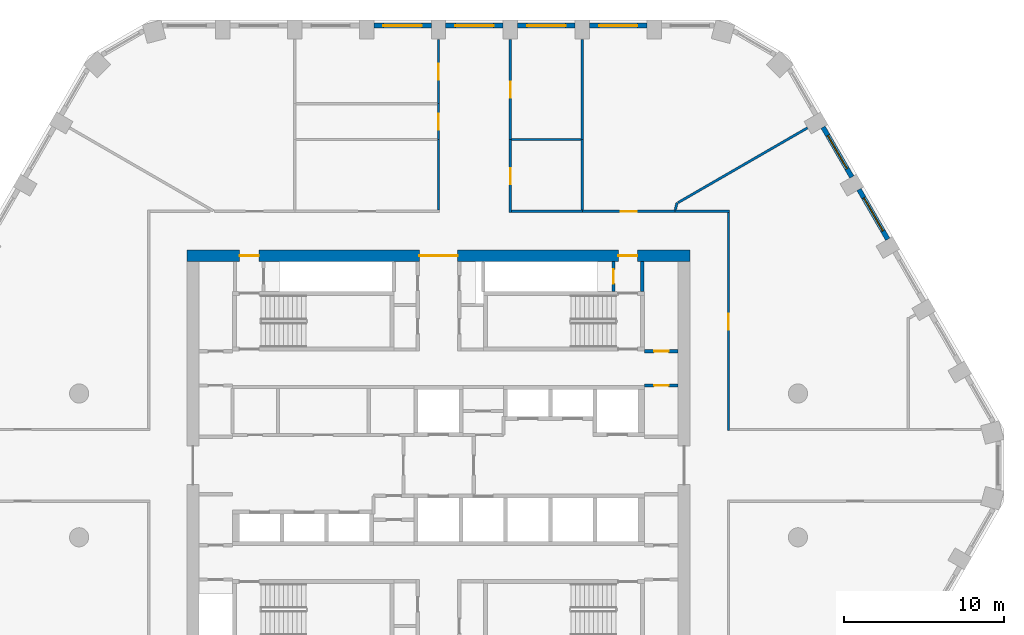
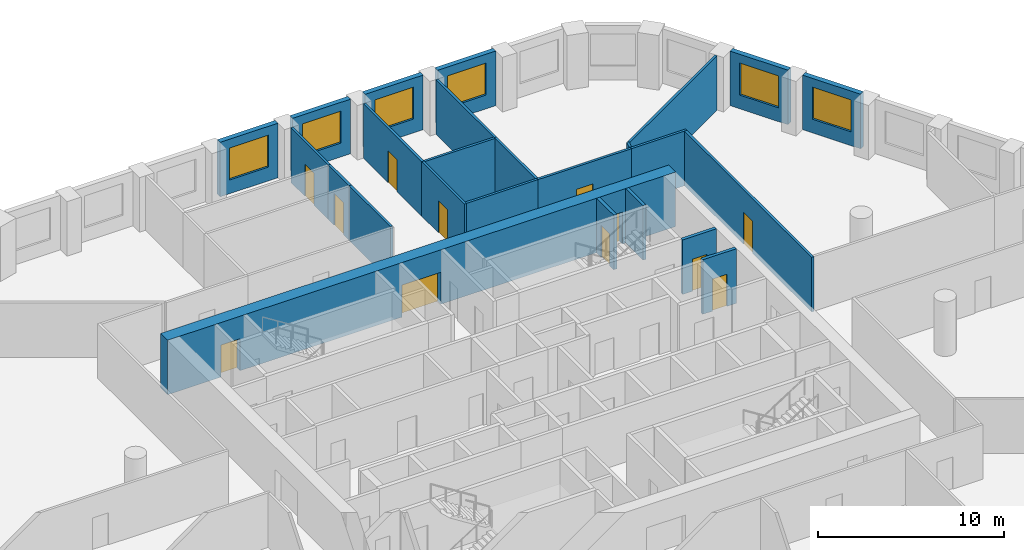
# One storey, part 7 of 9: 25 walls, 12 doors, 6 windows, 18 openings.
"""IFC4 building model written with IfcOpenShell, lengths in metres."""

import ifcopenshell
import ifcopenshell.guid

model = None  # the IFC model being written
_history = None  # IfcOwnerHistory: only IFC2X3 demands one
_inside = {}  # id of a spatial element -> (the spatial element, [elements in it])
_under = {}  # id of a project, library or spatial element -> (it, [spatial elements below it])
_declared = {}  # id of a project -> (the project, [libraries it declares])
_typed = {}  # id of a type object -> (the type object, [elements of that type])
_made_of = {}  # id of a material, layer set ... -> (it, [elements and type objects made of it])


def new_model(schema):
    """Start an empty IFC model of exactly this schema.

    Asked for "IFC4X3", IfcOpenShell would pick the latest addendum, in which some entities
    have other attributes; the version numbers below select the first issue.
    IFC2X3 requires an IfcOwnerHistory on every rooted entity: one is made here for all.
    """
    global model, _history
    if schema == "IFC4X3":
        model = ifcopenshell.file(schema_version=(4, 3, 0, 0))
    else:
        model = ifcopenshell.file(schema=schema)
    _inside.clear()
    _under.clear()
    _declared.clear()
    _typed.clear()
    _made_of.clear()
    _history = None
    if model.schema == "IFC2X3":
        org = make("IfcOrganization", Name="unknown")
        user = make(
            "IfcPersonAndOrganization",
            ThePerson=make("IfcPerson", FamilyName="unknown"),
            TheOrganization=org,
        )
        app = make(
            "IfcApplication",
            ApplicationDeveloper=org,
            Version="unknown",
            ApplicationFullName="unknown",
            ApplicationIdentifier="unknown",
        )
        _history = make(
            "IfcOwnerHistory",
            OwningUser=user,
            OwningApplication=app,
            ChangeAction="ADDED",
            CreationDate=0,
        )
    return model


def make(cls, **values):
    """One entity of the class cls with the attributes given. An attribute that is None is left unset."""
    return model.create_entity(
        cls, **{name: value for name, value in values.items() if value is not None}
    )


def rooted(cls, **values):
    """An entity with a GlobalId (a new one), such as an element, a storey or a relation."""
    return make(cls, GlobalId=ifcopenshell.guid.new(), OwnerHistory=_history, **values)


def si_unit(unit_type, name, prefix=None):
    """IfcSIUnit, for example si_unit("LENGTHUNIT", "METRE", prefix="MILLI")."""
    return make("IfcSIUnit", UnitType=unit_type, Prefix=prefix, Name=name)


def assignment(units):
    """IfcUnitAssignment: the units of a project."""
    return None if units is None else make("IfcUnitAssignment", Units=units)


def point(xyz):
    """IfcCartesianPoint."""
    return None if xyz is None else make("IfcCartesianPoint", Coordinates=xyz)


def direction(xyz):
    """IfcDirection."""
    return None if xyz is None else make("IfcDirection", DirectionRatios=xyz)


def frame(location, z_axis=None, x_axis=None):
    """IfcAxis2Placement3D, a coordinate frame: its origin and axes. An axis left out is left unset."""
    return make(
        "IfcAxis2Placement3D",
        Location=point(location),
        Axis=direction(z_axis),
        RefDirection=direction(x_axis),
    )


def frame_2d(location, x_axis=None):
    """IfcAxis2Placement2D, a coordinate frame in the plane: its origin and x axis."""
    return make(
        "IfcAxis2Placement2D", Location=point(location), RefDirection=direction(x_axis)
    )


def origin():
    """The frame at (0, 0, 0) with its axes left unset."""
    return frame((0.0, 0.0, 0.0))


def place(relative_to, where):
    """IfcLocalPlacement: puts the frame where relative to a parent placement (None: the world)."""
    return make(
        "IfcLocalPlacement", PlacementRelTo=relative_to, RelativePlacement=where
    )


def context(
    kind, dimensions, precision=None, world=None, true_north=None, identifier=None
):
    """IfcGeometricRepresentationContext, for example the 3D "Model" context."""
    return make(
        "IfcGeometricRepresentationContext",
        ContextIdentifier=identifier,
        ContextType=kind,
        CoordinateSpaceDimension=dimensions,
        Precision=precision,
        WorldCoordinateSystem=world,
        TrueNorth=true_north,
    )


def subcontext(parent, identifier, kind, view, scale=None):
    """IfcGeometricRepresentationSubContext, for example "Body" below "Model"."""
    return make(
        "IfcGeometricRepresentationSubContext",
        ContextIdentifier=identifier,
        ContextType=kind,
        ParentContext=parent,
        TargetScale=scale,
        TargetView=view,
    )


def project(units=None, contexts=None):
    """IfcProject with its units and contexts."""
    return rooted(
        "IfcProject",
        Name="project",
        RepresentationContexts=contexts,
        UnitsInContext=assignment(units),
    )


def spatial(cls, under=None, at=None, **own):
    """A site, building, storey or space (cls), placed at a placement, below another one or the project."""
    s = rooted(cls, ObjectPlacement=at, **own)
    if under is not None:
        _under.setdefault(under.id(), (under, []))[1].append(s)
    return s


def profile(cls, at=None, kind="AREA", **sizes):
    """A parametric profile (cls). Its sizes go by their IFC names, for example OverallWidth=200.0."""
    return make(cls, ProfileType=kind, Position=at, **sizes)


def rectangle(**sizes):
    """IfcRectangleProfileDef."""
    return profile("IfcRectangleProfileDef", **sizes)


def extrude(swept, where, along, depth):
    """IfcExtrudedAreaSolid: the profile swept, set in the frame where, extruded along a direction by depth."""
    return make(
        "IfcExtrudedAreaSolid",
        SweptArea=swept,
        Position=where,
        ExtrudedDirection=direction(along),
        Depth=depth,
    )


def shape(context_of_items, identifier, shape_type, items):
    """IfcShapeRepresentation: the items that make up one representation, for example the "Body"."""
    return make(
        "IfcShapeRepresentation",
        ContextOfItems=context_of_items,
        RepresentationIdentifier=identifier,
        RepresentationType=shape_type,
        Items=items,
    )


def material(Name=None, Category=None):
    """IfcMaterial."""
    return make("IfcMaterial", Name=Name, Category=Category)


def layer(
    of_material, thickness, ventilated=None, Name=None, Category=None, Priority=None
):
    """IfcMaterialLayer: one layer of a wall or slab, of a material (None: an air gap)."""
    return make(
        "IfcMaterialLayer",
        Material=of_material,
        LayerThickness=thickness,
        IsVentilated=ventilated,
        Name=Name,
        Category=Category,
        Priority=Priority,
    )


def layer_set(layers, Name=None):
    """IfcMaterialLayerSet."""
    return make("IfcMaterialLayerSet", MaterialLayers=layers, LayerSetName=Name)


def made_of(thing, what):
    """Note that an element or type object is made of a material, layer set ...; save() writes the relation."""
    if what is not None:
        _made_of.setdefault(what.id(), (what, []))[1].append(thing)
    return thing


def type_object(cls, material=None, **own):
    """A type object (cls), such as IfcWallType, which elements share."""
    return made_of(rooted(cls, **own), material)


def element(
    cls,
    number,
    at=None,
    inside=None,
    cuts=None,
    type_object=None,
    material=None,
    context=None,
    identifier="Body",
    shape_type=None,
    held_by="IfcProductDefinitionShape",
    body=None,
    shapes=None,
    **own,
):
    """One element of the class cls, such as IfcWall. Its Tag is "e" and its number.

    at: its placement. inside: the storey or other place that contains it. cuts: it is an
    opening in that element (IfcRelVoidsElement). A single representation is given by context,
    identifier, shape_type and body (its items); several are given by shapes. held_by: the class
    of the entity that holds the representations. save() writes the other relations.
    """
    e = rooted(cls, Tag="e%d" % number, ObjectPlacement=at, **own)
    if body is not None:
        shapes = [shape(context, identifier, shape_type, body)]
    if shapes is not None:
        e.Representation = make(held_by, Representations=shapes)
    if inside is not None:
        _inside.setdefault(inside.id(), (inside, []))[1].append(e)
    if cuts is not None:
        rooted(
            "IfcRelVoidsElement", RelatingBuildingElement=cuts, RelatedOpeningElement=e
        )
    if type_object is not None:
        _typed.setdefault(type_object.id(), (type_object, []))[1].append(e)
    return made_of(e, material)


def fill(opening, filler):
    """IfcRelFillsElement: the door or window that sits in an opening."""
    return rooted(
        "IfcRelFillsElement",
        RelatingOpeningElement=opening,
        RelatedBuildingElement=filler,
    )


def aggregate(whole, parts):
    """IfcRelAggregates: a whole, such as a stair, and the parts it consists of."""
    return rooted("IfcRelAggregates", RelatingObject=whole, RelatedObjects=parts)


def save(model, path):
    """Write the relations noted so far, then the file.

    IfcRelAggregates (storeys below a building ...), IfcRelContainedInSpatialStructure (elements
    in a storey), IfcRelDefinesByType, IfcRelAssociatesMaterial and IfcRelDeclares: one each for
    every whole, place, type object, material and project.
    """
    for whole, parts in _under.values():
        aggregate(whole, parts)
    for where, things in _inside.values():
        rooted(
            "IfcRelContainedInSpatialStructure",
            RelatedElements=things,
            RelatingStructure=where,
        )
    for kind, things in _typed.values():
        rooted("IfcRelDefinesByType", RelatedObjects=things, RelatingType=kind)
    for what, things in _made_of.values():
        rooted("IfcRelAssociatesMaterial", RelatedObjects=things, RelatingMaterial=what)
    for by, libraries in _declared.values():
        rooted("IfcRelDeclares", RelatingContext=by, RelatedDefinitions=libraries)
    model.write(path)


model = new_model("IFC4")

# Units and contexts
model_context = context("Model", 3, precision=1e-05, world=origin(), true_north=direction((0.0, 1.0)))
body_context = subcontext(model_context, "Body", "Model", "MODEL_VIEW")
ifc_project = project(units=[si_unit("LENGTHUNIT", "METRE"), si_unit("AREAUNIT", "SQUARE_METRE"), si_unit("VOLUMEUNIT", "CUBIC_METRE"), si_unit("PLANEANGLEUNIT", "RADIAN"), si_unit("MASSUNIT", "GRAM", prefix="KILO")], contexts=[model_context])

# Site, building, storey
site_placement = place(None, origin())
site = spatial("IfcSite", under=ifc_project, at=site_placement, CompositionType="ELEMENT")
building_placement = place(site_placement, origin())
building = spatial("IfcBuilding", under=site, at=building_placement, Name="Dhurran Vertical Campus", CompositionType="ELEMENT")
storey_placement = place(building_placement, frame((0.0, 0.0, 163.800048828125)))
storey = spatial("IfcBuildingStorey", under=building, at=storey_placement, Name="L40", CompositionType="ELEMENT", Elevation=163.800048828125)

# Wall, opening, window
ifc_material_1 = material(Name="Precast concrete C50/60", Category="concrete")
ifc_layer_1 = layer(ifc_material_1, 0.300048828125)
ifc_layer_set_1 = layer_set([ifc_layer_1], Name="Precast concrete C50/60")
wall_type_1 = type_object("IfcWallType", Name="Precast spandrel wall 300", PredefinedType="SOLIDWALL", material=ifc_layer_set_1)
wall_1_placement = place(storey_placement, frame((28.118896484375, 14.156494140625, 0.0), z_axis=(0.0, 0.0, 1.0), x_axis=(-0.500027802648, 0.866009351323, 0.0)))
wall_1 = element("IfcWall", 1, at=wall_1_placement, inside=storey, type_object=wall_type_1, Name="EW1 L40.19", PredefinedType="SOLIDWALL", context=body_context, shape_type="SweptSolid", body=[
    extrude(rectangle(XDim=3.598876953125, YDim=0.300048828125, at=frame_2d((1.79931640625, 0.0))), origin(), (0.0, 0.0, 1.0), 3.574951171875),
])
opening_1_placement = place(wall_1_placement, frame((0.599609375, 0.0, 0.89990234375)))
opening_1 = element("IfcOpeningElement", 2, at=opening_1_placement, cuts=wall_1, Name="Opening WT1", PredefinedType="OPENING", context=body_context, shape_type="SweptSolid", body=[
    extrude(rectangle(XDim=2.39990234375, YDim=2.10009765625, at=frame_2d((1.199951171875, 1.050048828125))), frame((0.0, 0.159912109375, 0.0), z_axis=(0.0, -1.0, 0.0), x_axis=(1.0, 0.0, 0.0)), (0.0, 0.0, 1.0), 0.320068359375),
])
ifc_material_2 = material(Name="Aluminium frame with solar-control glass", Category="aluminium")
window_type = type_object("IfcWindowType", Name="Punched window 2400 x 2100", PartitioningType="SINGLE_PANEL", PredefinedType="WINDOW", material=ifc_material_2)
window_1_placement = place(opening_1_placement, origin())
window_1 = element("IfcWindow", 3, at=window_1_placement, inside=storey, type_object=window_type, Name="WT1 L40.19", OverallHeight=2.10009765625, OverallWidth=2.39990234375, PartitioningType="SINGLE_PANEL", PredefinedType="WINDOW", context=body_context, shape_type="SweptSolid", body=[
    extrude(rectangle(XDim=2.39990234375, YDim=2.10009765625, at=frame_2d((1.199951171875, 1.050048828125))), frame((0.0, 0.030029296875, 0.0), z_axis=(0.0, -1.0, 0.0), x_axis=(1.0, 0.0, 0.0)), (0.0, 0.0, 1.0), 0.06005859375),
])
fill(opening_1, window_1)

wall_2_placement = place(storey_placement, frame((25.868896484375, 18.0537109375, 0.0), z_axis=(0.0, 0.0, 1.0), x_axis=(-0.500027802648, 0.866009351323, 0.0)))
wall_2 = element("IfcWall", 4, at=wall_2_placement, inside=storey, type_object=wall_type_1, Name="EW1 L40.20", PredefinedType="SOLIDWALL", context=body_context, shape_type="SweptSolid", body=[
    extrude(rectangle(XDim=3.598876953125, YDim=0.300048828125, at=frame_2d((1.79931640625, 0.0))), origin(), (0.0, 0.0, 1.0), 3.574951171875),
])
opening_2_placement = place(wall_2_placement, frame((0.599609375, 0.0, 0.89990234375)))
opening_2 = element("IfcOpeningElement", 5, at=opening_2_placement, cuts=wall_2, Name="Opening WT1", PredefinedType="OPENING", context=body_context, shape_type="SweptSolid", body=[
    extrude(rectangle(XDim=2.39990234375, YDim=2.10009765625, at=frame_2d((1.199951171875, 1.050048828125))), frame((0.0, 0.159912109375, 0.0), z_axis=(0.0, -1.0, 0.0), x_axis=(1.0, 0.0, 0.0)), (0.0, 0.0, 1.0), 0.320068359375),
])
window_2_placement = place(opening_2_placement, origin())
window_2 = element("IfcWindow", 6, at=window_2_placement, inside=storey, type_object=window_type, Name="WT1 L40.20", OverallHeight=2.10009765625, OverallWidth=2.39990234375, PartitioningType="SINGLE_PANEL", PredefinedType="WINDOW", context=body_context, shape_type="SweptSolid", body=[
    extrude(rectangle(XDim=2.39990234375, YDim=2.10009765625, at=frame_2d((1.199951171875, 1.050048828125))), frame((0.0, 0.030029296875, 0.0), z_axis=(0.0, -1.0, 0.0), x_axis=(1.0, 0.0, 0.0)), (0.0, 0.0, 1.0), 0.06005859375),
])
fill(opening_2, window_2)

wall_3_placement = place(storey_placement, frame((13.049560546875, 27.53271484375, 0.0), z_axis=(0.0, 0.0, 1.0), x_axis=(-1.0, 0.0, 0.0)))
wall_3 = element("IfcWall", 7, at=wall_3_placement, inside=storey, type_object=wall_type_1, Name="EW1 L40.24", PredefinedType="SOLIDWALL", context=body_context, shape_type="SweptSolid", body=[
    extrude(rectangle(XDim=3.59912109375, YDim=0.300048828125, at=frame_2d((1.799560546875, 0.0))), origin(), (0.0, 0.0, 1.0), 3.574951171875),
])
opening_3_placement = place(wall_3_placement, frame((0.599609375, 0.0, 0.89990234375)))
opening_3 = element("IfcOpeningElement", 8, at=opening_3_placement, cuts=wall_3, Name="Opening WT1", PredefinedType="OPENING", context=body_context, shape_type="SweptSolid", body=[
    extrude(rectangle(XDim=2.39990234375, YDim=2.10009765625, at=frame_2d((1.199951171875, 1.050048828125))), frame((0.0, 0.159912109375, 0.0), z_axis=(0.0, -1.0, 0.0), x_axis=(1.0, 0.0, 0.0)), (0.0, 0.0, 1.0), 0.320068359375),
])
window_3_placement = place(opening_3_placement, origin())
window_3 = element("IfcWindow", 9, at=window_3_placement, inside=storey, type_object=window_type, Name="WT1 L40.24", OverallHeight=2.10009765625, OverallWidth=2.39990234375, PartitioningType="SINGLE_PANEL", PredefinedType="WINDOW", context=body_context, shape_type="SweptSolid", body=[
    extrude(rectangle(XDim=2.39990234375, YDim=2.10009765625, at=frame_2d((1.199951171875, 1.050048828125))), frame((0.0, 0.030029296875, 0.0), z_axis=(0.0, -1.0, 0.0), x_axis=(1.0, 0.0, 0.0)), (0.0, 0.0, 1.0), 0.06005859375),
])
fill(opening_3, window_3)

wall_4_placement = place(storey_placement, frame((8.549560546875, 27.53271484375, 0.0), z_axis=(0.0, 0.0, 1.0), x_axis=(-1.0, 0.0, 0.0)))
wall_4 = element("IfcWall", 10, at=wall_4_placement, inside=storey, type_object=wall_type_1, Name="EW1 L40.25", PredefinedType="SOLIDWALL", context=body_context, shape_type="SweptSolid", body=[
    extrude(rectangle(XDim=3.59912109375, YDim=0.300048828125, at=frame_2d((1.799560546875, 0.0))), origin(), (0.0, 0.0, 1.0), 3.574951171875),
])
opening_4_placement = place(wall_4_placement, frame((0.599609375, 0.0, 0.89990234375)))
opening_4 = element("IfcOpeningElement", 11, at=opening_4_placement, cuts=wall_4, Name="Opening WT1", PredefinedType="OPENING", context=body_context, shape_type="SweptSolid", body=[
    extrude(rectangle(XDim=2.39990234375, YDim=2.10009765625, at=frame_2d((1.199951171875, 1.050048828125))), frame((0.0, 0.159912109375, 0.0), z_axis=(0.0, -1.0, 0.0), x_axis=(1.0, 0.0, 0.0)), (0.0, 0.0, 1.0), 0.320068359375),
])
window_4_placement = place(opening_4_placement, origin())
window_4 = element("IfcWindow", 12, at=window_4_placement, inside=storey, type_object=window_type, Name="WT1 L40.25", OverallHeight=2.10009765625, OverallWidth=2.39990234375, PartitioningType="SINGLE_PANEL", PredefinedType="WINDOW", context=body_context, shape_type="SweptSolid", body=[
    extrude(rectangle(XDim=2.39990234375, YDim=2.10009765625, at=frame_2d((1.199951171875, 1.050048828125))), frame((0.0, 0.030029296875, 0.0), z_axis=(0.0, -1.0, 0.0), x_axis=(1.0, 0.0, 0.0)), (0.0, 0.0, 1.0), 0.06005859375),
])
fill(opening_4, window_4)

wall_5_placement = place(storey_placement, frame((4.049560546875, 27.53271484375, 0.0), z_axis=(0.0, 0.0, 1.0), x_axis=(-1.0, 0.0, 0.0)))
wall_5 = element("IfcWall", 13, at=wall_5_placement, inside=storey, type_object=wall_type_1, Name="EW1 L40.26", PredefinedType="SOLIDWALL", context=body_context, shape_type="SweptSolid", body=[
    extrude(rectangle(XDim=3.59912109375, YDim=0.300048828125, at=frame_2d((1.799560546875, 0.0))), origin(), (0.0, 0.0, 1.0), 3.574951171875),
])
opening_5_placement = place(wall_5_placement, frame((0.599609375, 0.0, 0.89990234375)))
opening_5 = element("IfcOpeningElement", 14, at=opening_5_placement, cuts=wall_5, Name="Opening WT1", PredefinedType="OPENING", context=body_context, shape_type="SweptSolid", body=[
    extrude(rectangle(XDim=2.39990234375, YDim=2.10009765625, at=frame_2d((1.199951171875, 1.050048828125))), frame((0.0, 0.159912109375, 0.0), z_axis=(0.0, -1.0, 0.0), x_axis=(1.0, 0.0, 0.0)), (0.0, 0.0, 1.0), 0.320068359375),
])
window_5_placement = place(opening_5_placement, origin())
window_5 = element("IfcWindow", 15, at=window_5_placement, inside=storey, type_object=window_type, Name="WT1 L40.26", OverallHeight=2.10009765625, OverallWidth=2.39990234375, PartitioningType="SINGLE_PANEL", PredefinedType="WINDOW", context=body_context, shape_type="SweptSolid", body=[
    extrude(rectangle(XDim=2.39990234375, YDim=2.10009765625, at=frame_2d((1.199951171875, 1.050048828125))), frame((0.0, 0.030029296875, 0.0), z_axis=(0.0, -1.0, 0.0), x_axis=(1.0, 0.0, 0.0)), (0.0, 0.0, 1.0), 0.06005859375),
])
fill(opening_5, window_5)

wall_6_placement = place(storey_placement, frame((-0.450439453125, 27.53271484375, 0.0), z_axis=(0.0, 0.0, 1.0), x_axis=(-1.0, 0.0, 0.0)))
wall_6 = element("IfcWall", 16, at=wall_6_placement, inside=storey, type_object=wall_type_1, Name="EW1 L40.27", PredefinedType="SOLIDWALL", context=body_context, shape_type="SweptSolid", body=[
    extrude(rectangle(XDim=3.59912109375, YDim=0.300048828125, at=frame_2d((1.799560546875, 0.0))), origin(), (0.0, 0.0, 1.0), 3.574951171875),
])
opening_6_placement = place(wall_6_placement, frame((0.599609375, 0.0, 0.89990234375)))
opening_6 = element("IfcOpeningElement", 17, at=opening_6_placement, cuts=wall_6, Name="Opening WT1", PredefinedType="OPENING", context=body_context, shape_type="SweptSolid", body=[
    extrude(rectangle(XDim=2.39990234375, YDim=2.10009765625, at=frame_2d((1.199951171875, 1.050048828125))), frame((0.0, 0.159912109375, 0.0), z_axis=(0.0, -1.0, 0.0), x_axis=(1.0, 0.0, 0.0)), (0.0, 0.0, 1.0), 0.320068359375),
])
window_6_placement = place(opening_6_placement, origin())
window_6 = element("IfcWindow", 18, at=window_6_placement, inside=storey, type_object=window_type, Name="WT1 L40.27", OverallHeight=2.10009765625, OverallWidth=2.39990234375, PartitioningType="SINGLE_PANEL", PredefinedType="WINDOW", context=body_context, shape_type="SweptSolid", body=[
    extrude(rectangle(XDim=2.39990234375, YDim=2.10009765625, at=frame_2d((1.199951171875, 1.050048828125))), frame((0.0, 0.030029296875, 0.0), z_axis=(0.0, -1.0, 0.0), x_axis=(1.0, 0.0, 0.0)), (0.0, 0.0, 1.0), 0.06005859375),
])
fill(opening_6, window_6)

# Wall, openings, doors
ifc_material_3 = material(Name="Concrete C60/75", Category="concrete")
ifc_layer_2 = layer(ifc_material_3, 0.75)
ifc_layer_set_2 = layer_set([ifc_layer_2], Name="Concrete C60/75")
wall_type_2 = type_object("IfcWallType", Name="co-CORE-WALL-C1-750", PredefinedType="SHEAR", material=ifc_layer_set_2)
wall_7_placement = place(storey_placement, frame((-15.75, 13.125, 0.0), z_axis=(0.0, 0.0, 1.0), x_axis=(1.0, 0.0, 0.0)))
wall_7 = element("IfcWall", 19, at=wall_7_placement, inside=storey, type_object=wall_type_2, Name="Core wall N L40", PredefinedType="SHEAR", context=body_context, shape_type="SweptSolid", body=[
    extrude(rectangle(XDim=31.5, YDim=0.75, at=frame_2d((15.75, 0.0))), origin(), (0.0, 0.0, 1.0), 3.574951171875),
])
opening_7_placement = place(wall_7_placement, frame((14.550048828125, 0.0, 0.0)))
opening_7 = element("IfcOpeningElement", 20, at=opening_7_placement, cuts=wall_7, Name="Opening CV1", PredefinedType="OPENING", context=body_context, shape_type="SweptSolid", body=[
    extrude(rectangle(XDim=2.39990234375, YDim=2.10009765625, at=frame_2d((1.199951171875, 1.050048828125))), frame((0.0, 0.385009765625, 0.0), z_axis=(0.0, -1.0, 0.0), x_axis=(1.0, 0.0, 0.0)), (0.0, 0.0, 1.0), 0.77001953125),
])
opening_8_placement = place(wall_7_placement, frame((3.300048828125, 0.0, 0.0)))
opening_8 = element("IfcOpeningElement", 21, at=opening_8_placement, cuts=wall_7, Name="Opening XD1", PredefinedType="OPENING", context=body_context, shape_type="SweptSolid", body=[
    extrude(rectangle(XDim=1.199951171875, YDim=2.10009765625, at=frame_2d((0.60009765625, 1.050048828125))), frame((0.0, 0.385009765625, 0.0), z_axis=(0.0, -1.0, 0.0), x_axis=(1.0, 0.0, 0.0)), (0.0, 0.0, 1.0), 0.77001953125),
])
opening_9_placement = place(wall_7_placement, frame((27.0, 0.0, 0.0)))
opening_9 = element("IfcOpeningElement", 22, at=opening_9_placement, cuts=wall_7, Name="Opening XD2", PredefinedType="OPENING", context=body_context, shape_type="SweptSolid", body=[
    extrude(rectangle(XDim=1.199951171875, YDim=2.10009765625, at=frame_2d((0.60009765625, 1.050048828125))), frame((0.0, 0.385009765625, 0.0), z_axis=(0.0, -1.0, 0.0), x_axis=(1.0, 0.0, 0.0)), (0.0, 0.0, 1.0), 0.77001953125),
])
ifc_material_4 = material(Name="Fire-rated glazed door set")
door_type_1 = type_object("IfcDoorType", Name="co-D-LOBBY 2400x2100", OperationType="DOUBLE_DOOR_DOUBLE_SWING", PredefinedType="DOOR", material=ifc_material_4)
door_1_placement = place(opening_7_placement, origin())
door_1 = element("IfcDoor", 23, at=door_1_placement, inside=storey, type_object=door_type_1, Name="Core vestibule door N L40", OperationType="DOUBLE_DOOR_DOUBLE_SWING", OverallHeight=2.10009765625, OverallWidth=2.39990234375, PredefinedType="DOOR", context=body_context, shape_type="SweptSolid", body=[
    extrude(rectangle(XDim=2.39990234375, YDim=2.10009765625, at=frame_2d((1.199951171875, 1.050048828125))), frame((0.0, 0.02490234375, 0.0), z_axis=(0.0, -1.0, 0.0), x_axis=(1.0, 0.0, 0.0)), (0.0, 0.0, 1.0), 0.050048828125),
])
fill(opening_7, door_1)
ifc_material_5 = material(Name="Fire-rated steel door set", Category="steel")
door_type_2 = type_object("IfcDoorType", Name="co-D-STAIR-EXIT 1200x2100", OperationType="SINGLE_SWING_RIGHT", PredefinedType="DOOR", material=ifc_material_5)
door_2_placement = place(opening_8_placement, origin())
door_2 = element("IfcDoor", 24, at=door_2_placement, inside=storey, type_object=door_type_2, Name="Stair ST1 exit door L40", OperationType="SINGLE_SWING_RIGHT", OverallHeight=2.10009765625, OverallWidth=1.199951171875, PredefinedType="DOOR", context=body_context, shape_type="SweptSolid", body=[
    extrude(rectangle(XDim=1.199951171875, YDim=2.10009765625, at=frame_2d((0.60009765625, 1.050048828125))), frame((0.0, 0.02490234375, 0.0), z_axis=(0.0, -1.0, 0.0), x_axis=(1.0, 0.0, 0.0)), (0.0, 0.0, 1.0), 0.050048828125),
])
fill(opening_8, door_2)
door_3_placement = place(opening_9_placement, origin())
door_3 = element("IfcDoor", 25, at=door_3_placement, inside=storey, type_object=door_type_2, Name="Stair ST2 exit door L40", OperationType="SINGLE_SWING_RIGHT", OverallHeight=2.10009765625, OverallWidth=1.199951171875, PredefinedType="DOOR", context=body_context, shape_type="SweptSolid", body=[
    extrude(rectangle(XDim=1.199951171875, YDim=2.10009765625, at=frame_2d((0.60009765625, 1.050048828125))), frame((0.0, 0.02490234375, 0.0), z_axis=(0.0, -1.0, 0.0), x_axis=(1.0, 0.0, 0.0)), (0.0, 0.0, 1.0), 0.050048828125),
])
fill(opening_9, door_3)

# Wall
ifc_material_6 = material(Name="Fire-rated masonry blockwork", Category="masonry")
ifc_layer_3 = layer(ifc_material_6, 0.199951171875)
ifc_layer_set_3 = layer_set([ifc_layer_3], Name="Fire-rated masonry blockwork")
wall_type_3 = type_object("IfcWallType", Name="co-FIRE-PARTITION-200", PredefinedType="PARTITIONING", material=ifc_layer_set_3)
wall_8_placement = place(storey_placement, frame((12.75, 10.89990234375, 0.0), z_axis=(0.0, 0.0, 1.0), x_axis=(0.0, 1.0, 0.0)))
element("IfcWall", 26, at=wall_8_placement, inside=storey, type_object=wall_type_3, Name="Core partition pass-ST2-o L40", PredefinedType="PARTITIONING", context=body_context, shape_type="SweptSolid", body=[
    extrude(rectangle(XDim=1.85009765625, YDim=0.199951171875, at=frame_2d((0.925048828125, 0.0))), origin(), (0.0, 0.0, 1.0), 3.574951171875),
])

# Wall, opening, door
wall_9_placement = place(storey_placement, frame((10.949951171875, 10.89990234375, 0.0), z_axis=(0.0, 0.0, 1.0), x_axis=(0.0, 1.0, 0.0)))
wall_9 = element("IfcWall", 27, at=wall_9_placement, inside=storey, type_object=wall_type_3, Name="Core partition pass-ST2-i L40", PredefinedType="PARTITIONING", context=body_context, shape_type="SweptSolid", body=[
    extrude(rectangle(XDim=1.85009765625, YDim=0.199951171875, at=frame_2d((0.925048828125, 0.0))), origin(), (0.0, 0.0, 1.0), 3.574951171875),
])
opening_10_placement = place(wall_9_placement, frame((0.47509765625, 0.0, 0.0)))
opening_10 = element("IfcOpeningElement", 28, at=opening_10_placement, cuts=wall_9, Name="Opening T11-C9", PredefinedType="OPENING", context=body_context, shape_type="SweptSolid", body=[
    extrude(rectangle(XDim=0.89990234375, YDim=2.10009765625, at=frame_2d((0.449951171875, 1.050048828125))), frame((0.0, 0.10986328125, 0.0), z_axis=(0.0, -1.0, 0.0), x_axis=(1.0, 0.0, 0.0)), (0.0, 0.0, 1.0), 0.219970703125),
])
ifc_material_7 = material(Name="Fire-rated timber door set", Category="wood")
door_type_3 = type_object("IfcDoorType", Name="co-D-ROOM 900x2100", OperationType="SINGLE_SWING_LEFT", PredefinedType="DOOR", material=ifc_material_7)
door_4_placement = place(opening_10_placement, origin())
door_4 = element("IfcDoor", 29, at=door_4_placement, inside=storey, type_object=door_type_3, Name="Riser room door L40", OperationType="SINGLE_SWING_LEFT", OverallHeight=2.10009765625, OverallWidth=0.89990234375, PredefinedType="DOOR", context=body_context, shape_type="SweptSolid", body=[
    extrude(rectangle(XDim=0.89990234375, YDim=2.10009765625, at=frame_2d((0.449951171875, 1.050048828125))), frame((0.0, 0.02490234375, 0.0), z_axis=(0.0, -1.0, 0.0), x_axis=(1.0, 0.0, 0.0)), (0.0, 0.0, 1.0), 0.050048828125),
])
fill(opening_10, door_4)

wall_10_placement = place(storey_placement, frame((12.89990234375, 7.14990234375, 0.0), z_axis=(0.0, 0.0, 1.0), x_axis=(1.0, 0.0, 0.0)))
wall_10 = element("IfcWall", 30, at=wall_10_placement, inside=storey, type_object=wall_type_3, Name="Core partition en-NE-w L40", PredefinedType="PARTITIONING", context=body_context, shape_type="SweptSolid", body=[
    extrude(rectangle(XDim=2.10009765625, YDim=0.199951171875, at=frame_2d((1.050048828125, 0.0))), origin(), (0.0, 0.0, 1.0), 3.574951171875),
])
opening_11_placement = place(wall_10_placement, frame((0.60009765625, 0.0, 0.0)))
opening_11 = element("IfcOpeningElement", 31, at=opening_11_placement, cuts=wall_10, Name="Opening T11-C14", PredefinedType="OPENING", context=body_context, shape_type="SweptSolid", body=[
    extrude(rectangle(XDim=0.89990234375, YDim=2.10009765625, at=frame_2d((0.449951171875, 1.050048828125))), frame((0.0, 0.10986328125, 0.0), z_axis=(0.0, -1.0, 0.0), x_axis=(1.0, 0.0, 0.0)), (0.0, 0.0, 1.0), 0.219970703125),
])
door_5_placement = place(opening_11_placement, origin())
door_5 = element("IfcDoor", 32, at=door_5_placement, inside=storey, type_object=door_type_3, Name="Waste room door L40", OperationType="SINGLE_SWING_LEFT", OverallHeight=2.10009765625, OverallWidth=0.89990234375, PredefinedType="DOOR", context=body_context, shape_type="SweptSolid", body=[
    extrude(rectangle(XDim=0.89990234375, YDim=2.10009765625, at=frame_2d((0.449951171875, 1.050048828125))), frame((0.0, 0.02490234375, 0.0), z_axis=(0.0, -1.0, 0.0), x_axis=(1.0, 0.0, 0.0)), (0.0, 0.0, 1.0), 0.050048828125),
])
fill(opening_11, door_5)

wall_11_placement = place(storey_placement, frame((12.89990234375, 5.0, 0.0), z_axis=(0.0, 0.0, 1.0), x_axis=(1.0, 0.0, 0.0)))
wall_11 = element("IfcWall", 33, at=wall_11_placement, inside=storey, type_object=wall_type_3, Name="Core partition es-NE-w L40", PredefinedType="PARTITIONING", context=body_context, shape_type="SweptSolid", body=[
    extrude(rectangle(XDim=2.10009765625, YDim=0.199951171875, at=frame_2d((1.050048828125, 0.0))), origin(), (0.0, 0.0, 1.0), 3.574951171875),
])
opening_12_placement = place(wall_11_placement, frame((0.60009765625, 0.0, 0.0)))
opening_12 = element("IfcOpeningElement", 34, at=opening_12_placement, cuts=wall_11, Name="Opening T11-C15", PredefinedType="OPENING", context=body_context, shape_type="SweptSolid", body=[
    extrude(rectangle(XDim=0.89990234375, YDim=2.10009765625, at=frame_2d((0.449951171875, 1.050048828125))), frame((0.0, 0.10986328125, 0.0), z_axis=(0.0, -1.0, 0.0), x_axis=(1.0, 0.0, 0.0)), (0.0, 0.0, 1.0), 0.219970703125),
])
door_6_placement = place(opening_12_placement, origin())
door_6 = element("IfcDoor", 35, at=door_6_placement, inside=storey, type_object=door_type_3, Name="Plant room door L40", OperationType="SINGLE_SWING_LEFT", OverallHeight=2.10009765625, OverallWidth=0.89990234375, PredefinedType="DOOR", context=body_context, shape_type="SweptSolid", body=[
    extrude(rectangle(XDim=0.89990234375, YDim=2.10009765625, at=frame_2d((0.449951171875, 1.050048828125))), frame((0.0, 0.02490234375, 0.0), z_axis=(0.0, -1.0, 0.0), x_axis=(1.0, 0.0, 0.0)), (0.0, 0.0, 1.0), 0.050048828125),
])
fill(opening_12, door_6)

# Wall
ifc_material_8 = material(Name="Gypsum board corridor wall on steel studs", Category="steel")
ifc_layer_4 = layer(ifc_material_8, 0.14990234375)
ifc_layer_set_4 = layer_set([ifc_layer_4], Name="Gypsum board corridor wall on steel studs")
wall_type_4 = type_object("IfcWallType", Name="fl-CW-150 corridor wall", PredefinedType="PARTITIONING", material=ifc_layer_set_4)
wall_12_placement = place(storey_placement, frame((0.0, 15.97509765625, 0.0), z_axis=(0.0, 0.0, 1.0), x_axis=(0.0, 1.0, 0.0)))
element("IfcWall", 36, at=wall_12_placement, inside=storey, type_object=wall_type_4, Name="Partition 40-21", PredefinedType="PARTITIONING", context=body_context, shape_type="SweptSolid", body=[
    extrude(rectangle(XDim=4.4248046875, YDim=0.14990234375, at=frame_2d((2.21240234375, 0.0))), origin(), (0.0, 0.0, 1.0), 3.574951171875),
])

# Wall, opening, door
wall_13_placement = place(storey_placement, frame((0.0, 20.39990234375, 0.0), z_axis=(0.0, 0.0, 1.0), x_axis=(0.0, 1.0, 0.0)))
wall_13 = element("IfcWall", 37, at=wall_13_placement, inside=storey, type_object=wall_type_4, Name="Partition 40-22", PredefinedType="PARTITIONING", context=body_context, shape_type="SweptSolid", body=[
    extrude(rectangle(XDim=2.25, YDim=0.14990234375, at=frame_2d((1.125, 0.0))), origin(), (0.0, 0.0, 1.0), 3.574951171875),
])
opening_13_placement = place(wall_13_placement, frame((0.625, 0.0, 0.0)))
opening_13 = element("IfcOpeningElement", 38, at=opening_13_placement, cuts=wall_13, Name="Opening T11.07", PredefinedType="OPENING", context=body_context, shape_type="SweptSolid", body=[
    extrude(rectangle(XDim=1.0, YDim=2.10009765625, at=frame_2d((0.5, 1.050048828125))), frame((0.0, 0.0849609375, 0.0), z_axis=(0.0, -1.0, 0.0), x_axis=(1.0, 0.0, 0.0)), (0.0, 0.0, 1.0), 0.169921875),
])
ifc_material_9 = material(Name="Solid-core timber door set, fire-rated", Category="wood")
door_type_4 = type_object("IfcDoorType", Name="fl-D-1000x2100", OperationType="SINGLE_SWING_LEFT", PredefinedType="DOOR", material=ifc_material_9)
door_7_placement = place(opening_13_placement, origin())
door_7 = element("IfcDoor", 39, at=door_7_placement, inside=storey, type_object=door_type_4, Name="Door 40.07", OperationType="SINGLE_SWING_LEFT", OverallHeight=2.10009765625, OverallWidth=1.0, PredefinedType="DOOR", context=body_context, shape_type="SweptSolid", body=[
    extrude(rectangle(XDim=1.0, YDim=2.10009765625, at=frame_2d((0.5, 1.050048828125))), frame((0.0, 0.02490234375, 0.0), z_axis=(0.0, -1.0, 0.0), x_axis=(1.0, 0.0, 0.0)), (0.0, 0.0, 1.0), 0.050048828125),
])
fill(opening_13, door_7)

wall_14_placement = place(storey_placement, frame((0.0, 22.64990234375, 0.0), z_axis=(0.0, 0.0, 1.0), x_axis=(0.0, 1.0, 0.0)))
wall_14 = element("IfcWall", 40, at=wall_14_placement, inside=storey, type_object=wall_type_4, Name="Partition 40-23", PredefinedType="PARTITIONING", context=body_context, shape_type="SweptSolid", body=[
    extrude(rectangle(XDim=4.0126953125, YDim=0.14990234375, at=frame_2d((2.00634765625, 0.0))), origin(), (0.0, 0.0, 1.0), 3.574951171875),
])
opening_14_placement = place(wall_14_placement, frame((1.50634765625, 0.0, 0.0)))
opening_14 = element("IfcOpeningElement", 41, at=opening_14_placement, cuts=wall_14, Name="Opening T11.08", PredefinedType="OPENING", context=body_context, shape_type="SweptSolid", body=[
    extrude(rectangle(XDim=1.0, YDim=2.10009765625, at=frame_2d((0.5, 1.050048828125))), frame((0.0, 0.0849609375, 0.0), z_axis=(0.0, -1.0, 0.0), x_axis=(1.0, 0.0, 0.0)), (0.0, 0.0, 1.0), 0.169921875),
])
door_8_placement = place(opening_14_placement, origin())
door_8 = element("IfcDoor", 42, at=door_8_placement, inside=storey, type_object=door_type_4, Name="Door 40.08", OperationType="SINGLE_SWING_RIGHT", OverallHeight=2.10009765625, OverallWidth=1.0, PredefinedType="DOOR", context=body_context, shape_type="SweptSolid", body=[
    extrude(rectangle(XDim=1.0, YDim=2.10009765625, at=frame_2d((0.5, 1.050048828125))), frame((0.0, 0.02490234375, 0.0), z_axis=(0.0, -1.0, 0.0), x_axis=(1.0, 0.0, 0.0)), (0.0, 0.0, 1.0), 0.050048828125),
])
fill(opening_14, door_8)

wall_15_placement = place(storey_placement, frame((4.5, 20.39990234375, 0.0), z_axis=(0.0, 0.0, 1.0), x_axis=(0.0, -1.0, 0.0)))
wall_15 = element("IfcWall", 43, at=wall_15_placement, inside=storey, type_object=wall_type_4, Name="Partition 40-26", PredefinedType="PARTITIONING", context=body_context, shape_type="SweptSolid", body=[
    extrude(rectangle(XDim=4.574951171875, YDim=0.14990234375, at=frame_2d((2.28759765625, 0.0))), origin(), (0.0, 0.0, 1.0), 3.574951171875),
])
opening_15_placement = place(wall_15_placement, frame((1.78759765625, 0.0, 0.0)))
opening_15 = element("IfcOpeningElement", 44, at=opening_15_placement, cuts=wall_15, Name="Opening T11.10", PredefinedType="OPENING", context=body_context, shape_type="SweptSolid", body=[
    extrude(rectangle(XDim=1.0, YDim=2.10009765625, at=frame_2d((0.5, 1.050048828125))), frame((0.0, 0.0849609375, 0.0), z_axis=(0.0, -1.0, 0.0), x_axis=(1.0, 0.0, 0.0)), (0.0, 0.0, 1.0), 0.169921875),
])
door_9_placement = place(opening_15_placement, origin())
door_9 = element("IfcDoor", 45, at=door_9_placement, inside=storey, type_object=door_type_4, Name="Door 40.10", OperationType="SINGLE_SWING_RIGHT", OverallHeight=2.10009765625, OverallWidth=1.0, PredefinedType="DOOR", context=body_context, shape_type="SweptSolid", body=[
    extrude(rectangle(XDim=1.0, YDim=2.10009765625, at=frame_2d((0.5, 1.050048828125))), frame((0.0, 0.02490234375, 0.0), z_axis=(0.0, -1.0, 0.0), x_axis=(1.0, 0.0, 0.0)), (0.0, 0.0, 1.0), 0.050048828125),
])
fill(opening_15, door_9)

# Wall
wall_16_placement = place(storey_placement, frame((9.0, 15.89990234375, 0.0), z_axis=(0.0, 0.0, 1.0), x_axis=(-1.0, 0.0, 0.0)))
element("IfcWall", 46, at=wall_16_placement, inside=storey, type_object=wall_type_4, Name="Partition 40-27", PredefinedType="PARTITIONING", context=body_context, shape_type="SweptSolid", body=[
    extrude(rectangle(XDim=4.425048828125, YDim=0.14990234375, at=frame_2d((2.21240234375, 0.0))), origin(), (0.0, 0.0, 1.0), 3.574951171875),
])

# Wall, opening, door
wall_17_placement = place(storey_placement, frame((4.5, 26.66259765625, 0.0), z_axis=(0.0, 0.0, 1.0), x_axis=(0.0, -1.0, 0.0)))
wall_17 = element("IfcWall", 47, at=wall_17_placement, inside=storey, type_object=wall_type_4, Name="Partition 40-28", PredefinedType="PARTITIONING", context=body_context, shape_type="SweptSolid", body=[
    extrude(rectangle(XDim=6.2626953125, YDim=0.14990234375, at=frame_2d((3.13134765625, 0.0))), origin(), (0.0, 0.0, 1.0), 3.574951171875),
])
opening_16_placement = place(wall_17_placement, frame((2.63134765625, 0.0, 0.0)))
opening_16 = element("IfcOpeningElement", 48, at=opening_16_placement, cuts=wall_17, Name="Opening T11.11", PredefinedType="OPENING", context=body_context, shape_type="SweptSolid", body=[
    extrude(rectangle(XDim=1.0, YDim=2.10009765625, at=frame_2d((0.5, 1.050048828125))), frame((0.0, 0.0849609375, 0.0), z_axis=(0.0, -1.0, 0.0), x_axis=(1.0, 0.0, 0.0)), (0.0, 0.0, 1.0), 0.169921875),
])
door_10_placement = place(opening_16_placement, origin())
door_10 = element("IfcDoor", 49, at=door_10_placement, inside=storey, type_object=door_type_4, Name="Door 40.11", OperationType="SINGLE_SWING_RIGHT", OverallHeight=2.10009765625, OverallWidth=1.0, PredefinedType="DOOR", context=body_context, shape_type="SweptSolid", body=[
    extrude(rectangle(XDim=1.0, YDim=2.10009765625, at=frame_2d((0.5, 1.050048828125))), frame((0.0, 0.02490234375, 0.0), z_axis=(0.0, -1.0, 0.0), x_axis=(1.0, 0.0, 0.0)), (0.0, 0.0, 1.0), 0.050048828125),
])
fill(opening_16, door_10)

wall_18_placement = place(storey_placement, frame((14.7890625, 15.89990234375, 0.0), z_axis=(0.0, 0.0, 1.0), x_axis=(-1.0, 0.0, 0.0)))
wall_18 = element("IfcWall", 50, at=wall_18_placement, inside=storey, type_object=wall_type_4, Name="Partition 40-31", PredefinedType="PARTITIONING", context=body_context, shape_type="SweptSolid", body=[
    extrude(rectangle(XDim=5.7890625, YDim=0.14990234375, at=frame_2d((2.89453125, 0.0))), origin(), (0.0, 0.0, 1.0), 3.574951171875),
])
opening_17_placement = place(wall_18_placement, frame((2.39453125, 0.0, 0.0)))
opening_17 = element("IfcOpeningElement", 51, at=opening_17_placement, cuts=wall_18, Name="Opening T11.13", PredefinedType="OPENING", context=body_context, shape_type="SweptSolid", body=[
    extrude(rectangle(XDim=1.0, YDim=2.10009765625, at=frame_2d((0.5, 1.050048828125))), frame((0.0, 0.0849609375, 0.0), z_axis=(0.0, -1.0, 0.0), x_axis=(1.0, 0.0, 0.0)), (0.0, 0.0, 1.0), 0.169921875),
])
door_11_placement = place(opening_17_placement, origin())
door_11 = element("IfcDoor", 52, at=door_11_placement, inside=storey, type_object=door_type_4, Name="Door 40.13", OperationType="SINGLE_SWING_RIGHT", OverallHeight=2.10009765625, OverallWidth=1.0, PredefinedType="DOOR", context=body_context, shape_type="SweptSolid", body=[
    extrude(rectangle(XDim=1.0, YDim=2.10009765625, at=frame_2d((0.5, 1.050048828125))), frame((0.0, 0.02490234375, 0.0), z_axis=(0.0, -1.0, 0.0), x_axis=(1.0, 0.0, 0.0)), (0.0, 0.0, 1.0), 0.050048828125),
])
fill(opening_17, door_11)

# Wall
wall_19_placement = place(storey_placement, frame((18.22509765625, 15.89990234375, 0.0), z_axis=(0.0, 0.0, 1.0), x_axis=(-1.0, 0.0, 0.0)))
element("IfcWall", 53, at=wall_19_placement, inside=storey, type_object=wall_type_4, Name="Partition 40-36", PredefinedType="PARTITIONING", context=body_context, shape_type="SweptSolid", body=[
    extrude(rectangle(XDim=3.43603515625, YDim=0.14990234375, at=frame_2d((1.718017578125, 0.0))), origin(), (0.0, 0.0, 1.0), 3.574951171875),
])

# Wall, opening, door
wall_20_placement = place(storey_placement, frame((18.14990234375, 2.175048828125, 0.0), z_axis=(0.0, 0.0, 1.0), x_axis=(0.0, 1.0, 0.0)))
wall_20 = element("IfcWall", 54, at=wall_20_placement, inside=storey, type_object=wall_type_4, Name="Partition 40-42", PredefinedType="PARTITIONING", context=body_context, shape_type="SweptSolid", body=[
    extrude(rectangle(XDim=13.64990234375, YDim=0.14990234375, at=frame_2d((6.824951171875, 0.0))), origin(), (0.0, 0.0, 1.0), 3.574951171875),
])
opening_18_placement = place(wall_20_placement, frame((6.324951171875, 0.0, 0.0)))
opening_18 = element("IfcOpeningElement", 55, at=opening_18_placement, cuts=wall_20, Name="Opening T11.15", PredefinedType="OPENING", context=body_context, shape_type="SweptSolid", body=[
    extrude(rectangle(XDim=1.0, YDim=2.10009765625, at=frame_2d((0.5, 1.050048828125))), frame((0.0, 0.0849609375, 0.0), z_axis=(0.0, -1.0, 0.0), x_axis=(1.0, 0.0, 0.0)), (0.0, 0.0, 1.0), 0.169921875),
])
door_12_placement = place(opening_18_placement, origin())
door_12 = element("IfcDoor", 56, at=door_12_placement, inside=storey, type_object=door_type_4, Name="Door 40.15", OperationType="SINGLE_SWING_RIGHT", OverallHeight=2.10009765625, OverallWidth=1.0, PredefinedType="DOOR", context=body_context, shape_type="SweptSolid", body=[
    extrude(rectangle(XDim=1.0, YDim=2.10009765625, at=frame_2d((0.5, 1.050048828125))), frame((0.0, 0.02490234375, 0.0), z_axis=(0.0, -1.0, 0.0), x_axis=(1.0, 0.0, 0.0)), (0.0, 0.0, 1.0), 0.050048828125),
])
fill(opening_18, door_12)

# Walls
ifc_material_10 = material(Name="Gypsum board partition on steel studs", Category="steel")
ifc_layer_5 = layer(ifc_material_10, 0.14990234375)
ifc_layer_set_5 = layer_set([ifc_layer_5], Name="Gypsum board partition on steel studs")
wall_type_5 = type_object("IfcWallType", Name="fl-PW-150 fixed partition", PredefinedType="PARTITIONING", material=ifc_layer_set_5)
wall_21_placement = place(storey_placement, frame((4.574951171875, 20.39990234375, 0.0), z_axis=(0.0, 0.0, 1.0), x_axis=(1.0, 0.0, 0.0)))
element("IfcWall", 57, at=wall_21_placement, inside=storey, type_object=wall_type_5, Name="Partition 40-29", PredefinedType="PARTITIONING", context=body_context, shape_type="SweptSolid", body=[
    extrude(rectangle(XDim=4.35009765625, YDim=0.14990234375, at=frame_2d((2.175048828125, 0.0))), origin(), (0.0, 0.0, 1.0), 3.574951171875),
])
wall_22_placement = place(storey_placement, frame((9.0, 20.39990234375, 0.0), z_axis=(0.0, 0.0, 1.0), x_axis=(0.0, -1.0, 0.0)))
element("IfcWall", 58, at=wall_22_placement, inside=storey, type_object=wall_type_5, Name="Partition 40-30", PredefinedType="PARTITIONING", context=body_context, shape_type="SweptSolid", body=[
    extrude(rectangle(XDim=4.4248046875, YDim=0.14990234375, at=frame_2d((2.21240234375, 0.0))), origin(), (0.0, 0.0, 1.0), 3.574951171875),
])
wall_23_placement = place(storey_placement, frame((9.0, 26.66259765625, 0.0), z_axis=(0.0, 0.0, 1.0), x_axis=(0.0, -1.0, 0.0)))
element("IfcWall", 59, at=wall_23_placement, inside=storey, type_object=wall_type_5, Name="Partition 40-32", PredefinedType="PARTITIONING", context=body_context, shape_type="SweptSolid", body=[
    extrude(rectangle(XDim=6.2626953125, YDim=0.14990234375, at=frame_2d((3.13134765625, 0.0))), origin(), (0.0, 0.0, 1.0), 3.574951171875),
])
wall_24_placement = place(storey_placement, frame((14.93505859375, 16.44580078125, 0.0), z_axis=(0.0, 0.0, 1.0), x_axis=(-0.258147545917, -0.966105503833, 0.0)))
element("IfcWall", 60, at=wall_24_placement, inside=storey, type_object=wall_type_5, Name="Partition 40-35", PredefinedType="PARTITIONING", context=body_context, shape_type="SweptSolid", body=[
    extrude(rectangle(XDim=0.469970703125, YDim=0.14990234375, at=frame_2d((0.23486328125, 0.0))), origin(), (0.0, 0.0, 1.0), 3.574951171875),
])
wall_25_placement = place(storey_placement, frame((23.09033203125, 21.1259765625, 0.0), z_axis=(0.0, 0.0, 1.0), x_axis=(-0.86600952399, -0.500027503603, 0.0)))
element("IfcWall", 61, at=wall_25_placement, inside=storey, type_object=wall_type_5, Name="Partition 40-37", PredefinedType="PARTITIONING", context=body_context, shape_type="SweptSolid", body=[
    extrude(rectangle(XDim=9.3525390625, YDim=0.14990234375, at=frame_2d((4.67626953125, 0.0))), origin(), (0.0, 0.0, 1.0), 3.574951171875),
])

save(model, "model.ifc")
